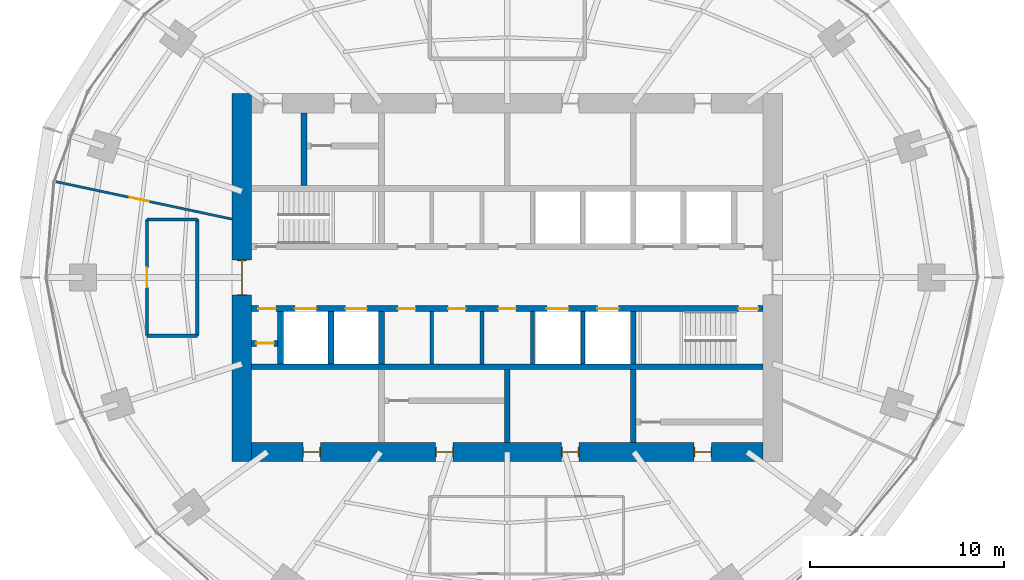
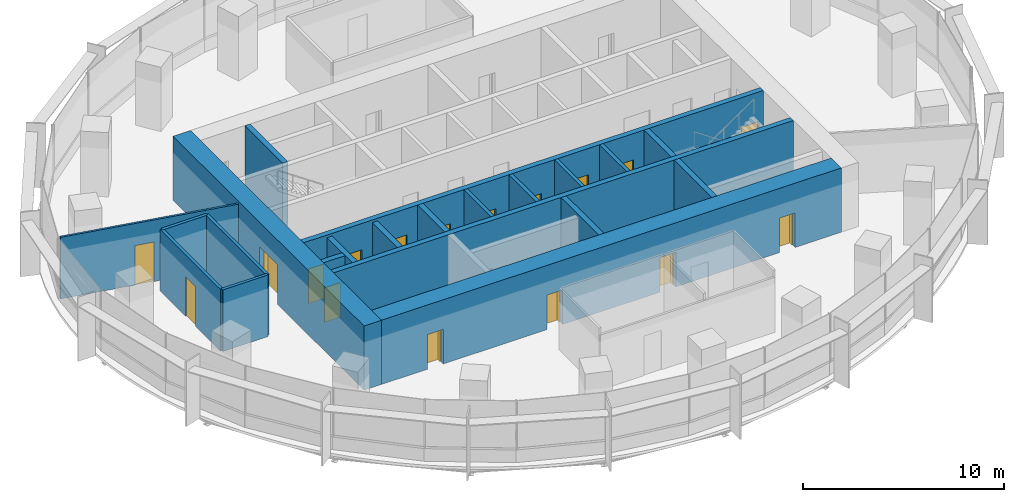
# One storey, part 10 of 14: 21 walls, 17 doors, 17 openings.
"""IFC4 building model written with IfcOpenShell, lengths in metres."""

from ifc_helpers import new_model, si_unit, direction, frame, frame_2d, origin, place, context, subcontext, project, spatial, rectangle, extrude, material, layer, layer_set, type_object, element, fill, save


model = new_model("IFC4")

# Units and contexts
model_context = context("Model", 3, precision=1e-05, world=origin(), true_north=direction((0.0, 1.0)))
body_context = subcontext(model_context, "Body", "Model", "MODEL_VIEW")
ifc_project = project(units=[si_unit("LENGTHUNIT", "METRE"), si_unit("AREAUNIT", "SQUARE_METRE"), si_unit("VOLUMEUNIT", "CUBIC_METRE"), si_unit("PLANEANGLEUNIT", "RADIAN"), si_unit("MASSUNIT", "GRAM", prefix="KILO")], contexts=[model_context])

# Site, building, storey
site_placement = place(None, origin())
site = spatial("IfcSite", under=ifc_project, at=site_placement, CompositionType="ELEMENT")
building_placement = place(site_placement, origin())
building = spatial("IfcBuilding", under=site, at=building_placement, Name="Marramba Exchange Tower", CompositionType="ELEMENT")
storey_placement = place(building_placement, frame((0.0, 0.0, 215.0)))
storey = spatial("IfcBuildingStorey", under=building, at=storey_placement, Name="L52", CompositionType="ELEMENT", Elevation=215.0)

# Walls
ifc_material_1 = material(Name="Plasterboard on staggered double steel studs, acoustic insulation", Category="steel")
ifc_layer_1 = layer(ifc_material_1, 0.169921875)
ifc_layer_set_1 = layer_set([ifc_layer_1], Name="Acoustic partition 170")
wall_type_1 = type_object("IfcWallType", Name="Acoustic partition 170", PredefinedType="PARTITIONING", material=ifc_layer_set_1)
for number, where, z_axis, x_axis, name in (
    (1, (-16.0, -3.0, 0.0), (0.0, 0.0, 1.0), (-1.0, 0.0, 0.0), "Acoustic partition L52 01"),
    (2, (-18.60009765625, 3.0, 0.0), (0.0, 0.0, 1.0), (1.0, 0.0, 0.0), "Acoustic partition L52 13"),
):
    element("IfcWall", number, at=place(storey_placement, frame(where, z_axis=z_axis, x_axis=x_axis)), inside=storey, type_object=wall_type_1, Name=name, PredefinedType="PARTITIONING", context=body_context, shape_type="SweptSolid", body=[
        extrude(rectangle(XDim=2.60009765625, YDim=0.169921875, at=frame_2d((1.300048828125, 0.0))), origin(), (0.0, 0.0, 1.0), 3.739990234375),
    ])

# Wall, opening, door
wall_1_placement = place(storey_placement, frame((-18.60009765625, -3.0, 0.0), z_axis=(0.0, 0.0, 1.0), x_axis=(0.0, 1.0, 0.0)))
wall_1 = element("IfcWall", 3, at=wall_1_placement, inside=storey, type_object=wall_type_1, Name="Acoustic partition L52 14", PredefinedType="PARTITIONING", context=body_context, shape_type="SweptSolid", body=[
    extrude(rectangle(XDim=6.0, YDim=0.169921875, at=frame_2d((3.0, 0.0))), origin(), (0.0, 0.0, 1.0), 3.739990234375),
])
opening_1_placement = place(wall_1_placement, frame((2.5, 0.0, 0.0)))
opening_1 = element("IfcOpeningElement", 4, at=opening_1_placement, cuts=wall_1, Name="Opening D9", PredefinedType="OPENING", context=body_context, shape_type="SweptSolid", body=[
    extrude(rectangle(XDim=1.0, YDim=2.39990234375, at=frame_2d((0.5, 1.199951171875))), frame((0.0, 0.094970703125, 0.0), z_axis=(0.0, -1.0, 0.0), x_axis=(1.0, 0.0, 0.0)), (0.0, 0.0, 1.0), 0.18994140625),
])
ifc_material_2 = material(Name="Timber door", Category="wood")
door_type_1 = type_object("IfcDoorType", Name="Room door 1000x2400", OperationType="SINGLE_SWING_LEFT", PredefinedType="DOOR", material=ifc_material_2)
door_1_placement = place(opening_1_placement, frame((1.0, 0.0, 0.0), z_axis=(0.0, 0.0, 1.0), x_axis=(-1.0, 0.0, 0.0)))
door_1 = element("IfcDoor", 5, at=door_1_placement, inside=storey, type_object=door_type_1, Name="D9 Quiet Room L52", OperationType="SINGLE_SWING_RIGHT", OverallHeight=2.39990234375, OverallWidth=1.0, PredefinedType="DOOR", context=body_context, shape_type="SweptSolid", body=[
    extrude(rectangle(XDim=1.0, YDim=2.39990234375, at=frame_2d((0.5, 1.199951171875))), frame((0.0, 0.025146484375, 0.0), z_axis=(0.0, -1.0, 0.0), x_axis=(1.0, 0.0, 0.0)), (0.0, 0.0, 1.0), 0.050048828125),
])
fill(opening_1, door_1)

# Walls
wall_2_placement = place(storey_placement, frame((-16.0, 3.0, 0.0), z_axis=(0.0, 0.0, 1.0), x_axis=(0.0, -1.0, 0.0)))
element("IfcWall", 6, at=wall_2_placement, inside=storey, type_object=wall_type_1, Name="Acoustic partition L52 15", PredefinedType="PARTITIONING", context=body_context, shape_type="SweptSolid", body=[
    extrude(rectangle(XDim=6.0, YDim=0.169921875, at=frame_2d((3.0, 0.0))), origin(), (0.0, 0.0, 1.0), 3.739990234375),
])
ifc_material_3 = material(Name="Concrete N50", Category="concrete")
ifc_layer_2 = layer(ifc_material_3, 0.199951171875)
ifc_layer_set_2 = layer_set([ifc_layer_2], Name="Core shaft wall 200")
wall_type_2 = type_object("IfcWallType", Name="Core shaft wall 200", PredefinedType="SHEAR", material=ifc_layer_set_2)
for number, where, z_axis, x_axis, name in (
    (7, (-3.89990234375, -1.75, 0.0), (0.0, 0.0, 1.0), (0.0, -1.0, 0.0), "Core wall SHS1 L52"),
    (8, (-1.300048828125, -1.75, 0.0), (0.0, 0.0, 1.0), (0.0, -1.0, 0.0), "Core wall SHS2 L52"),
    (9, (1.300048828125, -1.75, 0.0), (0.0, 0.0, 1.0), (0.0, -1.0, 0.0), "Core wall SHS3 L52"),
    (10, (3.89990234375, -1.75, 0.0), (0.0, 0.0, 1.0), (0.0, -1.0, 0.0), "Core wall SHS4 L52"),
):
    element("IfcWall", number, at=place(storey_placement, frame(where, z_axis=z_axis, x_axis=x_axis)), inside=storey, type_object=wall_type_2, Name=name, PredefinedType="SHEAR", context=body_context, shape_type="SweptSolid", body=[
        extrude(rectangle(XDim=2.699951171875, YDim=0.199951171875, at=frame_2d((1.35009765625, 0.0))), origin(), (0.0, 0.0, 1.0), 3.89990234375),
    ])

# Wall, openings, doors
ifc_layer_3 = layer(ifc_material_3, 1.0)
ifc_layer_set_3 = layer_set([ifc_layer_3], Name="Core wall 1000")
wall_type_3 = type_object("IfcWallType", Name="Core wall 1000", PredefinedType="SHEAR", material=ifc_layer_set_3)
wall_3_placement = place(storey_placement, frame((-13.199951171875, -9.0, 0.0), z_axis=(0.0, 0.0, 1.0), x_axis=(1.0, 0.0, 0.0)))
wall_3 = element("IfcWall", 11, at=wall_3_placement, inside=storey, type_object=wall_type_3, Name="Core wall S L52", PredefinedType="SHEAR", context=body_context, shape_type="SweptSolid", body=[
    extrude(rectangle(XDim=26.39990234375, YDim=1.0, at=frame_2d((13.199951171875, 0.0))), origin(), (0.0, 0.0, 1.0), 3.89990234375),
])
opening_2_placement = place(wall_3_placement, frame((2.64990234375, 0.0, 0.0)))
opening_2 = element("IfcOpeningElement", 12, at=opening_2_placement, cuts=wall_3, Name="Opening D5", PredefinedType="OPENING", context=body_context, shape_type="SweptSolid", body=[
    extrude(rectangle(XDim=0.89990234375, YDim=2.10009765625, at=frame_2d((0.449951171875, 1.050048828125))), frame((0.0, 0.510009765625, 0.0), z_axis=(0.0, -1.0, 0.0), x_axis=(1.0, 0.0, 0.0)), (0.0, 0.0, 1.0), 1.02001953125),
])
opening_3_placement = place(wall_3_placement, frame((9.5, 0.0, 0.0)))
opening_3 = element("IfcOpeningElement", 13, at=opening_3_placement, cuts=wall_3, Name="Opening D5", PredefinedType="OPENING", context=body_context, shape_type="SweptSolid", body=[
    extrude(rectangle(XDim=0.89990234375, YDim=2.10009765625, at=frame_2d((0.449951171875, 1.050048828125))), frame((0.0, 0.510009765625, 0.0), z_axis=(0.0, -1.0, 0.0), x_axis=(1.0, 0.0, 0.0)), (0.0, 0.0, 1.0), 1.02001953125),
])
opening_4_placement = place(wall_3_placement, frame((16.0, 0.0, 0.0)))
opening_4 = element("IfcOpeningElement", 14, at=opening_4_placement, cuts=wall_3, Name="Opening D5", PredefinedType="OPENING", context=body_context, shape_type="SweptSolid", body=[
    extrude(rectangle(XDim=0.89990234375, YDim=2.10009765625, at=frame_2d((0.449951171875, 1.050048828125))), frame((0.0, 0.510009765625, 0.0), z_axis=(0.0, -1.0, 0.0), x_axis=(1.0, 0.0, 0.0)), (0.0, 0.0, 1.0), 1.02001953125),
])
opening_5_placement = place(wall_3_placement, frame((22.85009765625, 0.0, 0.0)))
opening_5 = element("IfcOpeningElement", 15, at=opening_5_placement, cuts=wall_3, Name="Opening D5", PredefinedType="OPENING", context=body_context, shape_type="SweptSolid", body=[
    extrude(rectangle(XDim=0.89990234375, YDim=2.10009765625, at=frame_2d((0.449951171875, 1.050048828125))), frame((0.0, 0.510009765625, 0.0), z_axis=(0.0, -1.0, 0.0), x_axis=(1.0, 0.0, 0.0)), (0.0, 0.0, 1.0), 1.02001953125),
])
ifc_material_4 = material(Name="Steel-framed door", Category="steel")
door_type_2 = type_object("IfcDoorType", Name="Service door 900x2100", OperationType="SINGLE_SWING_LEFT", PredefinedType="DOOR", material=ifc_material_4)
door_2_placement = place(opening_2_placement, origin())
door_2 = element("IfcDoor", 16, at=door_2_placement, inside=storey, type_object=door_type_2, Name="D5 ahu L52", OperationType="SINGLE_SWING_LEFT", OverallHeight=2.10009765625, OverallWidth=0.89990234375, PredefinedType="DOOR", context=body_context, shape_type="SweptSolid", body=[
    extrude(rectangle(XDim=0.81982421875, YDim=2.06005859375, at=frame_2d((0.449951171875, 1.030029296875))), frame((0.0, 0.02490234375, 0.0), z_axis=(0.0, -1.0, 0.0), x_axis=(1.0, 0.0, 0.0)), (0.0, 0.0, 1.0), 0.050048828125),
    extrude(rectangle(XDim=0.04, YDim=2.10009765625, at=frame_2d((0.02001953125, 1.050048828125))), frame((0.0, 0.25, 0.0), z_axis=(0.0, -1.0, 0.0), x_axis=(1.0, 0.0, 0.0)), (0.0, 0.0, 1.0), 0.5),
    extrude(rectangle(XDim=0.04, YDim=2.10009765625, at=frame_2d((0.8798828125, 1.050048828125))), frame((0.0, 0.25, 0.0), z_axis=(0.0, -1.0, 0.0), x_axis=(1.0, 0.0, 0.0)), (0.0, 0.0, 1.0), 0.5),
    extrude(rectangle(XDim=0.81982421875, YDim=0.04, at=frame_2d((0.449951171875, 2.080078125))), frame((0.0, 0.25, 0.0), z_axis=(0.0, -1.0, 0.0), x_axis=(1.0, 0.0, 0.0)), (0.0, 0.0, 1.0), 0.5),
])
fill(opening_2, door_2)
door_3_placement = place(opening_3_placement, origin())
door_3 = element("IfcDoor", 17, at=door_3_placement, inside=storey, type_object=door_type_2, Name="D5 store L52", OperationType="SINGLE_SWING_RIGHT", OverallHeight=2.10009765625, OverallWidth=0.89990234375, PredefinedType="DOOR", context=body_context, shape_type="SweptSolid", body=[
    extrude(rectangle(XDim=0.81982421875, YDim=2.06005859375, at=frame_2d((0.449951171875, 1.030029296875))), frame((0.0, 0.02490234375, 0.0), z_axis=(0.0, -1.0, 0.0), x_axis=(1.0, 0.0, 0.0)), (0.0, 0.0, 1.0), 0.050048828125),
    extrude(rectangle(XDim=0.04, YDim=2.10009765625, at=frame_2d((0.02001953125, 1.050048828125))), frame((0.0, 0.25, 0.0), z_axis=(0.0, -1.0, 0.0), x_axis=(1.0, 0.0, 0.0)), (0.0, 0.0, 1.0), 0.5),
    extrude(rectangle(XDim=0.04, YDim=2.10009765625, at=frame_2d((0.8798828125, 1.050048828125))), frame((0.0, 0.25, 0.0), z_axis=(0.0, -1.0, 0.0), x_axis=(1.0, 0.0, 0.0)), (0.0, 0.0, 1.0), 0.5),
    extrude(rectangle(XDim=0.81982421875, YDim=0.04, at=frame_2d((0.449951171875, 2.080078125))), frame((0.0, 0.25, 0.0), z_axis=(0.0, -1.0, 0.0), x_axis=(1.0, 0.0, 0.0)), (0.0, 0.0, 1.0), 0.5),
])
fill(opening_3, door_3)
door_4_placement = place(opening_4_placement, origin())
door_4 = element("IfcDoor", 18, at=door_4_placement, inside=storey, type_object=door_type_2, Name="D5 switch L52", OperationType="SINGLE_SWING_RIGHT", OverallHeight=2.10009765625, OverallWidth=0.89990234375, PredefinedType="DOOR", context=body_context, shape_type="SweptSolid", body=[
    extrude(rectangle(XDim=0.81982421875, YDim=2.06005859375, at=frame_2d((0.449951171875, 1.030029296875))), frame((0.0, 0.02490234375, 0.0), z_axis=(0.0, -1.0, 0.0), x_axis=(1.0, 0.0, 0.0)), (0.0, 0.0, 1.0), 0.050048828125),
    extrude(rectangle(XDim=0.04, YDim=2.10009765625, at=frame_2d((0.02001953125, 1.050048828125))), frame((0.0, 0.25, 0.0), z_axis=(0.0, -1.0, 0.0), x_axis=(1.0, 0.0, 0.0)), (0.0, 0.0, 1.0), 0.5),
    extrude(rectangle(XDim=0.04, YDim=2.10009765625, at=frame_2d((0.8798828125, 1.050048828125))), frame((0.0, 0.25, 0.0), z_axis=(0.0, -1.0, 0.0), x_axis=(1.0, 0.0, 0.0)), (0.0, 0.0, 1.0), 0.5),
    extrude(rectangle(XDim=0.81982421875, YDim=0.04, at=frame_2d((0.449951171875, 2.080078125))), frame((0.0, 0.25, 0.0), z_axis=(0.0, -1.0, 0.0), x_axis=(1.0, 0.0, 0.0)), (0.0, 0.0, 1.0), 0.5),
])
fill(opening_4, door_4)
door_5_placement = place(opening_5_placement, origin())
door_5 = element("IfcDoor", 19, at=door_5_placement, inside=storey, type_object=door_type_2, Name="D5 cstore L52", OperationType="SINGLE_SWING_RIGHT", OverallHeight=2.10009765625, OverallWidth=0.89990234375, PredefinedType="DOOR", context=body_context, shape_type="SweptSolid", body=[
    extrude(rectangle(XDim=0.81982421875, YDim=2.06005859375, at=frame_2d((0.449951171875, 1.030029296875))), frame((0.0, 0.02490234375, 0.0), z_axis=(0.0, -1.0, 0.0), x_axis=(1.0, 0.0, 0.0)), (0.0, 0.0, 1.0), 0.050048828125),
    extrude(rectangle(XDim=0.04, YDim=2.10009765625, at=frame_2d((0.02001953125, 1.050048828125))), frame((0.0, 0.25, 0.0), z_axis=(0.0, -1.0, 0.0), x_axis=(1.0, 0.0, 0.0)), (0.0, 0.0, 1.0), 0.5),
    extrude(rectangle(XDim=0.04, YDim=2.10009765625, at=frame_2d((0.8798828125, 1.050048828125))), frame((0.0, 0.25, 0.0), z_axis=(0.0, -1.0, 0.0), x_axis=(1.0, 0.0, 0.0)), (0.0, 0.0, 1.0), 0.5),
    extrude(rectangle(XDim=0.81982421875, YDim=0.04, at=frame_2d((0.449951171875, 2.080078125))), frame((0.0, 0.25, 0.0), z_axis=(0.0, -1.0, 0.0), x_axis=(1.0, 0.0, 0.0)), (0.0, 0.0, 1.0), 0.5),
])
fill(opening_5, door_5)

# Wall, opening, door
wall_4_placement = place(storey_placement, frame((-13.699951171875, 9.5, 0.0), z_axis=(0.0, 0.0, 1.0), x_axis=(0.0, -1.0, 0.0)))
wall_4 = element("IfcWall", 20, at=wall_4_placement, inside=storey, type_object=wall_type_3, Name="Core wall W L52", PredefinedType="SHEAR", context=body_context, shape_type="SweptSolid", body=[
    extrude(rectangle(XDim=19.0, YDim=1.0, at=frame_2d((9.5, 0.0))), origin(), (0.0, 0.0, 1.0), 3.89990234375),
])
opening_6_placement = place(wall_4_placement, frame((8.60009765625, 0.0, 0.0)))
opening_6 = element("IfcOpeningElement", 21, at=opening_6_placement, cuts=wall_4, Name="Opening D1", PredefinedType="OPENING", context=body_context, shape_type="SweptSolid", body=[
    extrude(rectangle(XDim=1.800048828125, YDim=2.39990234375, at=frame_2d((0.89990234375, 1.199951171875))), frame((0.0, 0.510009765625, 0.0), z_axis=(0.0, -1.0, 0.0), x_axis=(1.0, 0.0, 0.0)), (0.0, 0.0, 1.0), 1.02001953125),
])
door_type_3 = type_object("IfcDoorType", Name="Lobby exit door 1800x2400", OperationType="DOUBLE_DOOR_SINGLE_SWING", PredefinedType="DOOR", material=ifc_material_4)
door_6_placement = place(opening_6_placement, origin())
door_6 = element("IfcDoor", 22, at=door_6_placement, inside=storey, type_object=door_type_3, Name="D1 lobby exit west L52", OperationType="DOUBLE_DOOR_SINGLE_SWING", OverallHeight=2.39990234375, OverallWidth=1.800048828125, PredefinedType="DOOR", context=body_context, shape_type="SweptSolid", body=[
    extrude(rectangle(XDim=1.719970703125, YDim=2.35986328125, at=frame_2d((0.89990234375, 1.179931640625))), frame((0.0, 0.02490234375, 0.0), z_axis=(0.0, -1.0, 0.0), x_axis=(1.0, 0.0, 0.0)), (0.0, 0.0, 1.0), 0.050048828125),
    extrude(rectangle(XDim=0.04, YDim=2.39990234375, at=frame_2d((0.02001953125, 1.199951171875))), frame((0.0, 0.25, 0.0), z_axis=(0.0, -1.0, 0.0), x_axis=(1.0, 0.0, 0.0)), (0.0, 0.0, 1.0), 0.5),
    extrude(rectangle(XDim=0.04, YDim=2.39990234375, at=frame_2d((1.780029296875, 1.199951171875))), frame((0.0, 0.25, 0.0), z_axis=(0.0, -1.0, 0.0), x_axis=(1.0, 0.0, 0.0)), (0.0, 0.0, 1.0), 0.5),
    extrude(rectangle(XDim=1.719970703125, YDim=0.04, at=frame_2d((0.89990234375, 2.3798828125))), frame((0.0, 0.25, 0.0), z_axis=(0.0, -1.0, 0.0), x_axis=(1.0, 0.0, 0.0)), (0.0, 0.0, 1.0), 0.5),
])
fill(opening_6, door_6)

# Wall, openings, doors
ifc_layer_4 = layer(ifc_material_3, 0.300048828125)
ifc_layer_set_4 = layer_set([ifc_layer_4], Name="Core wall 300")
wall_type_4 = type_object("IfcWallType", Name="Core wall 300", PredefinedType="SHEAR", material=ifc_layer_set_4)
wall_5_placement = place(storey_placement, frame((-13.199951171875, -1.60009765625, 0.0), z_axis=(0.0, 0.0, 1.0), x_axis=(1.0, 0.0, 0.0)))
wall_5 = element("IfcWall", 23, at=wall_5_placement, inside=storey, type_object=wall_type_4, Name="Core wall LS L52", PredefinedType="SHEAR", context=body_context, shape_type="SweptSolid", body=[
    extrude(rectangle(XDim=26.39990234375, YDim=0.300048828125, at=frame_2d((13.199951171875, 0.0))), origin(), (0.0, 0.0, 1.0), 3.89990234375),
])
opening_7_placement = place(wall_5_placement, frame((25.14990234375, 0.0, 0.0)))
opening_7 = element("IfcOpeningElement", 24, at=opening_7_placement, cuts=wall_5, Name="Opening D2", PredefinedType="OPENING", context=body_context, shape_type="SweptSolid", body=[
    extrude(rectangle(XDim=1.0, YDim=2.10009765625, at=frame_2d((0.5, 1.050048828125))), frame((0.0, 0.159912109375, 0.0), z_axis=(0.0, -1.0, 0.0), x_axis=(1.0, 0.0, 0.0)), (0.0, 0.0, 1.0), 0.320068359375),
])
opening_8_placement = place(wall_5_placement, frame((7.550048828125, 0.0, 0.0)))
opening_8 = element("IfcOpeningElement", 25, at=opening_8_placement, cuts=wall_5, Name="Opening D5", PredefinedType="OPENING", context=body_context, shape_type="SweptSolid", body=[
    extrude(rectangle(XDim=0.89990234375, YDim=2.10009765625, at=frame_2d((0.449951171875, 1.050048828125))), frame((0.0, 0.159912109375, 0.0), z_axis=(0.0, -1.0, 0.0), x_axis=(1.0, 0.0, 0.0)), (0.0, 0.0, 1.0), 0.320068359375),
])
opening_9_placement = place(wall_5_placement, frame((10.14990234375, 0.0, 0.0)))
opening_9 = element("IfcOpeningElement", 26, at=opening_9_placement, cuts=wall_5, Name="Opening D5", PredefinedType="OPENING", context=body_context, shape_type="SweptSolid", body=[
    extrude(rectangle(XDim=0.89990234375, YDim=2.10009765625, at=frame_2d((0.449951171875, 1.050048828125))), frame((0.0, 0.159912109375, 0.0), z_axis=(0.0, -1.0, 0.0), x_axis=(1.0, 0.0, 0.0)), (0.0, 0.0, 1.0), 0.320068359375),
])
opening_10_placement = place(wall_5_placement, frame((12.75, 0.0, 0.0)))
opening_10 = element("IfcOpeningElement", 27, at=opening_10_placement, cuts=wall_5, Name="Opening D5", PredefinedType="OPENING", context=body_context, shape_type="SweptSolid", body=[
    extrude(rectangle(XDim=0.89990234375, YDim=2.10009765625, at=frame_2d((0.449951171875, 1.050048828125))), frame((0.0, 0.159912109375, 0.0), z_axis=(0.0, -1.0, 0.0), x_axis=(1.0, 0.0, 0.0)), (0.0, 0.0, 1.0), 0.320068359375),
])
opening_11_placement = place(wall_5_placement, frame((15.25, 0.0, 0.0)))
opening_11 = element("IfcOpeningElement", 28, at=opening_11_placement, cuts=wall_5, Name="Opening LD2", PredefinedType="OPENING", context=body_context, shape_type="SweptSolid", body=[
    extrude(rectangle(XDim=1.10009765625, YDim=2.300048828125, at=frame_2d((0.550048828125, 1.14990234375))), frame((0.0, 0.159912109375, 0.0), z_axis=(0.0, -1.0, 0.0), x_axis=(1.0, 0.0, 0.0)), (0.0, 0.0, 1.0), 0.320068359375),
])
opening_12_placement = place(wall_5_placement, frame((17.85009765625, 0.0, 0.0)))
opening_12 = element("IfcOpeningElement", 29, at=opening_12_placement, cuts=wall_5, Name="Opening LD2", PredefinedType="OPENING", context=body_context, shape_type="SweptSolid", body=[
    extrude(rectangle(XDim=1.10009765625, YDim=2.300048828125, at=frame_2d((0.550048828125, 1.14990234375))), frame((0.0, 0.159912109375, 0.0), z_axis=(0.0, -1.0, 0.0), x_axis=(1.0, 0.0, 0.0)), (0.0, 0.0, 1.0), 0.320068359375),
])
opening_13_placement = place(wall_5_placement, frame((4.85009765625, 0.0, 0.0)))
opening_13 = element("IfcOpeningElement", 30, at=opening_13_placement, cuts=wall_5, Name="Opening LD1", PredefinedType="OPENING", context=body_context, shape_type="SweptSolid", body=[
    extrude(rectangle(XDim=1.10009765625, YDim=2.300048828125, at=frame_2d((0.550048828125, 1.14990234375))), frame((0.0, 0.159912109375, 0.0), z_axis=(0.0, -1.0, 0.0), x_axis=(1.0, 0.0, 0.0)), (0.0, 0.0, 1.0), 0.320068359375),
])
opening_14_placement = place(wall_5_placement, frame((2.25, 0.0, 0.0)))
opening_14 = element("IfcOpeningElement", 31, at=opening_14_placement, cuts=wall_5, Name="Opening LD1", PredefinedType="OPENING", context=body_context, shape_type="SweptSolid", body=[
    extrude(rectangle(XDim=1.10009765625, YDim=2.300048828125, at=frame_2d((0.550048828125, 1.14990234375))), frame((0.0, 0.159912109375, 0.0), z_axis=(0.0, -1.0, 0.0), x_axis=(1.0, 0.0, 0.0)), (0.0, 0.0, 1.0), 0.320068359375),
])
opening_15_placement = place(wall_5_placement, frame((0.35009765625, 0.0, 0.0)))
opening_15 = element("IfcOpeningElement", 32, at=opening_15_placement, cuts=wall_5, Name="Opening D5", PredefinedType="OPENING", context=body_context, shape_type="SweptSolid", body=[
    extrude(rectangle(XDim=0.89990234375, YDim=2.10009765625, at=frame_2d((0.449951171875, 1.050048828125))), frame((0.0, 0.159912109375, 0.0), z_axis=(0.0, -1.0, 0.0), x_axis=(1.0, 0.0, 0.0)), (0.0, 0.0, 1.0), 0.320068359375),
])
door_type_4 = type_object("IfcDoorType", Name="Emergency lift landing door 1100x2300", OperationType="SLIDING_TO_LEFT", PredefinedType="DOOR", material=ifc_material_4)
door_7_placement = place(opening_11_placement, frame((1.10009765625, 0.0, 0.0), z_axis=(0.0, 0.0, 1.0), x_axis=(-1.0, 0.0, 0.0)))
door_7 = element("IfcDoor", 33, at=door_7_placement, inside=storey, type_object=door_type_4, Name="FL1 landing door L52", OperationType="SLIDING_TO_RIGHT", OverallHeight=2.300048828125, OverallWidth=1.10009765625, PredefinedType="DOOR", context=body_context, shape_type="SweptSolid", body=[
    extrude(rectangle(XDim=1.10009765625, YDim=2.300048828125, at=frame_2d((0.550048828125, 1.14990234375))), frame((0.0, 0.025146484375, 0.0), z_axis=(0.0, -1.0, 0.0), x_axis=(1.0, 0.0, 0.0)), (0.0, 0.0, 1.0), 0.050048828125),
])
fill(opening_11, door_7)
door_8_placement = place(opening_12_placement, frame((1.10009765625, 0.0, 0.0), z_axis=(0.0, 0.0, 1.0), x_axis=(-1.0, 0.0, 0.0)))
door_8 = element("IfcDoor", 34, at=door_8_placement, inside=storey, type_object=door_type_4, Name="FL2 landing door L52", OperationType="SLIDING_TO_LEFT", OverallHeight=2.300048828125, OverallWidth=1.10009765625, PredefinedType="DOOR", context=body_context, shape_type="SweptSolid", body=[
    extrude(rectangle(XDim=1.10009765625, YDim=2.300048828125, at=frame_2d((0.550048828125, 1.14990234375))), frame((0.0, 0.025146484375, 0.0), z_axis=(0.0, -1.0, 0.0), x_axis=(1.0, 0.0, 0.0)), (0.0, 0.0, 1.0), 0.050048828125),
])
fill(opening_12, door_8)
door_type_5 = type_object("IfcDoorType", Name="Lift landing door 1100x2300", OperationType="SLIDING_TO_LEFT", PredefinedType="DOOR", material=ifc_material_4)
door_9_placement = place(opening_13_placement, frame((1.10009765625, 0.0, 0.0), z_axis=(0.0, 0.0, 1.0), x_axis=(-1.0, 0.0, 0.0)))
door_9 = element("IfcDoor", 35, at=door_9_placement, inside=storey, type_object=door_type_5, Name="LC1 landing door L52", OperationType="SLIDING_TO_LEFT", OverallHeight=2.300048828125, OverallWidth=1.10009765625, PredefinedType="DOOR", context=body_context, shape_type="SweptSolid", body=[
    extrude(rectangle(XDim=1.10009765625, YDim=2.300048828125, at=frame_2d((0.550048828125, 1.14990234375))), frame((0.0, 0.025146484375, 0.0), z_axis=(0.0, -1.0, 0.0), x_axis=(1.0, 0.0, 0.0)), (0.0, 0.0, 1.0), 0.050048828125),
])
fill(opening_13, door_9)
door_10_placement = place(opening_14_placement, frame((1.10009765625, 0.0, 0.0), z_axis=(0.0, 0.0, 1.0), x_axis=(-1.0, 0.0, 0.0)))
door_10 = element("IfcDoor", 36, at=door_10_placement, inside=storey, type_object=door_type_5, Name="LC2 landing door L52", OperationType="SLIDING_TO_LEFT", OverallHeight=2.300048828125, OverallWidth=1.10009765625, PredefinedType="DOOR", context=body_context, shape_type="SweptSolid", body=[
    extrude(rectangle(XDim=1.10009765625, YDim=2.300048828125, at=frame_2d((0.550048828125, 1.14990234375))), frame((0.0, 0.025146484375, 0.0), z_axis=(0.0, -1.0, 0.0), x_axis=(1.0, 0.0, 0.0)), (0.0, 0.0, 1.0), 0.050048828125),
])
fill(opening_14, door_10)
door_11_placement = place(opening_8_placement, frame((0.89990234375, 0.0, 0.0), z_axis=(0.0, 0.0, 1.0), x_axis=(-1.0, 0.0, 0.0)))
door_11 = element("IfcDoor", 37, at=door_11_placement, inside=storey, type_object=door_type_2, Name="D5 general store L52", OperationType="SINGLE_SWING_RIGHT", OverallHeight=2.10009765625, OverallWidth=0.89990234375, PredefinedType="DOOR", context=body_context, shape_type="SweptSolid", body=[
    extrude(rectangle(XDim=0.89990234375, YDim=2.10009765625, at=frame_2d((0.449951171875, 1.050048828125))), frame((0.0, 0.025146484375, 0.0), z_axis=(0.0, -1.0, 0.0), x_axis=(1.0, 0.0, 0.0)), (0.0, 0.0, 1.0), 0.050048828125),
])
fill(opening_8, door_11)
door_12_placement = place(opening_9_placement, frame((0.89990234375, 0.0, 0.0), z_axis=(0.0, 0.0, 1.0), x_axis=(-1.0, 0.0, 0.0)))
door_12 = element("IfcDoor", 38, at=door_12_placement, inside=storey, type_object=door_type_2, Name="D5 print room n1 L52", OperationType="SINGLE_SWING_RIGHT", OverallHeight=2.10009765625, OverallWidth=0.89990234375, PredefinedType="DOOR", context=body_context, shape_type="SweptSolid", body=[
    extrude(rectangle(XDim=0.89990234375, YDim=2.10009765625, at=frame_2d((0.449951171875, 1.050048828125))), frame((0.0, 0.025146484375, 0.0), z_axis=(0.0, -1.0, 0.0), x_axis=(1.0, 0.0, 0.0)), (0.0, 0.0, 1.0), 0.050048828125),
])
fill(opening_9, door_12)
door_13_placement = place(opening_10_placement, frame((0.89990234375, 0.0, 0.0), z_axis=(0.0, 0.0, 1.0), x_axis=(-1.0, 0.0, 0.0)))
door_13 = element("IfcDoor", 39, at=door_13_placement, inside=storey, type_object=door_type_2, Name="D5 store n2 L52", OperationType="SINGLE_SWING_RIGHT", OverallHeight=2.10009765625, OverallWidth=0.89990234375, PredefinedType="DOOR", context=body_context, shape_type="SweptSolid", body=[
    extrude(rectangle(XDim=0.89990234375, YDim=2.10009765625, at=frame_2d((0.449951171875, 1.050048828125))), frame((0.0, 0.025146484375, 0.0), z_axis=(0.0, -1.0, 0.0), x_axis=(1.0, 0.0, 0.0)), (0.0, 0.0, 1.0), 0.050048828125),
])
fill(opening_10, door_13)
door_14_placement = place(opening_15_placement, frame((0.89990234375, 0.0, 0.0), z_axis=(0.0, 0.0, 1.0), x_axis=(-1.0, 0.0, 0.0)))
door_14 = element("IfcDoor", 40, at=door_14_placement, inside=storey, type_object=door_type_2, Name="D5 electrical riser L52", OperationType="SINGLE_SWING_LEFT", OverallHeight=2.10009765625, OverallWidth=0.89990234375, PredefinedType="DOOR", context=body_context, shape_type="SweptSolid", body=[
    extrude(rectangle(XDim=0.89990234375, YDim=2.10009765625, at=frame_2d((0.449951171875, 1.050048828125))), frame((0.0, 0.025146484375, 0.0), z_axis=(0.0, -1.0, 0.0), x_axis=(1.0, 0.0, 0.0)), (0.0, 0.0, 1.0), 0.050048828125),
])
fill(opening_15, door_14)
door_type_6 = type_object("IfcDoorType", Name="Stair door 1000x2100", OperationType="SINGLE_SWING_LEFT", PredefinedType="DOOR", material=ifc_material_4)
door_15_placement = place(opening_7_placement, frame((1.0, 0.0, 0.0), z_axis=(0.0, 0.0, 1.0), x_axis=(-1.0, 0.0, 0.0)))
door_15 = element("IfcDoor", 41, at=door_15_placement, inside=storey, type_object=door_type_6, Name="D2 stair ST2 L52", OperationType="SINGLE_SWING_LEFT", OverallHeight=2.10009765625, OverallWidth=1.0, PredefinedType="DOOR", context=body_context, shape_type="SweptSolid", body=[
    extrude(rectangle(XDim=1.0, YDim=2.10009765625, at=frame_2d((0.5, 1.050048828125))), frame((0.0, 0.025146484375, 0.0), z_axis=(0.0, -1.0, 0.0), x_axis=(1.0, 0.0, 0.0)), (0.0, 0.0, 1.0), 0.050048828125),
])
fill(opening_7, door_15)

# Walls
wall_6_placement = place(storey_placement, frame((-13.199951171875, -4.60009765625, 0.0), z_axis=(0.0, 0.0, 1.0), x_axis=(1.0, 0.0, 0.0)))
element("IfcWall", 42, at=wall_6_placement, inside=storey, type_object=wall_type_4, Name="Core wall BS L52", PredefinedType="SHEAR", context=body_context, shape_type="SweptSolid", body=[
    extrude(rectangle(XDim=26.39990234375, YDim=0.300048828125, at=frame_2d((13.199951171875, 0.0))), origin(), (0.0, 0.0, 1.0), 3.89990234375),
])
for number, where, z_axis, x_axis, name in (
    (43, (-6.5, -1.75, 0.0), (0.0, 0.0, 1.0), (0.0, -1.0, 0.0), "Core wall X0Sa L52"),
    (44, (6.5, -1.75, 0.0), (0.0, 0.0, 1.0), (0.0, -1.0, 0.0), "Core wall X1Sa L52"),
):
    element("IfcWall", number, at=place(storey_placement, frame(where, z_axis=z_axis, x_axis=x_axis)), inside=storey, type_object=wall_type_4, Name=name, PredefinedType="SHEAR", context=body_context, shape_type="SweptSolid", body=[
        extrude(rectangle(XDim=2.699951171875, YDim=0.300048828125, at=frame_2d((1.35009765625, 0.0))), origin(), (0.0, 0.0, 1.0), 3.89990234375),
    ])
for number, where, z_axis, x_axis, name in (
    (45, (6.5, -4.75, 0.0), (0.0, 0.0, 1.0), (0.0, -1.0, 0.0), "Core wall X1Sb L52"),
    (46, (0.0, -4.75, 0.0), (0.0, 0.0, 1.0), (0.0, -1.0, 0.0), "Core wall MS L52"),
    (47, (-10.5, 4.75, 0.0), (0.0, 0.0, 1.0), (0.0, 1.0, 0.0), "Core wall WD L52"),
):
    element("IfcWall", number, at=place(storey_placement, frame(where, z_axis=z_axis, x_axis=x_axis)), inside=storey, type_object=wall_type_4, Name=name, PredefinedType="SHEAR", context=body_context, shape_type="SweptSolid", body=[
        extrude(rectangle(XDim=3.75, YDim=0.300048828125, at=frame_2d((1.875, 0.0))), origin(), (0.0, 0.0, 1.0), 3.89990234375),
    ])
ifc_material_5 = material(Name="Core-filled concrete blockwork", Category="masonry")
ifc_layer_5 = layer(ifc_material_5, 0.300048828125)
ifc_layer_set_5 = layer_set([ifc_layer_5], Name="Lift shaft wall 300")
wall_type_5 = type_object("IfcWallType", Name="Lift shaft wall 300", PredefinedType="SOLIDWALL", material=ifc_layer_set_5)
for number, where, z_axis, x_axis, name in (
    (48, (-9.10009765625, -1.75, 0.0), (0.0, 0.0, 1.0), (0.0, -1.0, 0.0), "Lift shaft wall W1 L52"),
    (49, (-11.699951171875, -1.75, 0.0), (0.0, 0.0, 1.0), (0.0, -1.0, 0.0), "Lift shaft wall W2 L52"),
):
    element("IfcWall", number, at=place(storey_placement, frame(where, z_axis=z_axis, x_axis=x_axis)), inside=storey, type_object=wall_type_5, Name=name, PredefinedType="SOLIDWALL", context=body_context, shape_type="SweptSolid", body=[
        extrude(rectangle(XDim=2.699951171875, YDim=0.300048828125, at=frame_2d((1.35009765625, 0.0))), origin(), (0.0, 0.0, 1.0), 3.739990234375),
    ])

# Wall, opening, door
ifc_material_6 = material(Name="Plasterboard on steel studs", Category="steel")
ifc_layer_6 = layer(ifc_material_6, 0.1201171875)
ifc_layer_set_6 = layer_set([ifc_layer_6], Name="Partition 120")
wall_type_6 = type_object("IfcWallType", Name="Partition 120", PredefinedType="PARTITIONING", material=ifc_layer_set_6)
wall_7_placement = place(storey_placement, frame((-14.199951171875, 3.018310546875, 0.0), z_axis=(0.0, 0.0, 1.0), x_axis=(-0.978146067863, 0.207918902279, 0.0)))
wall_7 = element("IfcWall", 50, at=wall_7_placement, inside=storey, type_object=wall_type_6, Name="Partition L52 12", PredefinedType="PARTITIONING", context=body_context, shape_type="SweptSolid", body=[
    extrude(rectangle(XDim=9.32080078125, YDim=0.1201171875, at=frame_2d((4.660400390625, 0.0))), origin(), (0.0, 0.0, 1.0), 3.739990234375),
])
opening_16_placement = place(wall_7_placement, frame((4.410888671875, 0.0, 0.0)))
opening_16 = element("IfcOpeningElement", 51, at=opening_16_placement, cuts=wall_7, Name="Opening D9", PredefinedType="OPENING", context=body_context, shape_type="SweptSolid", body=[
    extrude(rectangle(XDim=1.0, YDim=2.39990234375, at=frame_2d((0.5, 1.199951171875))), frame((0.0, 0.070068359375, 0.0), z_axis=(0.0, -1.0, 0.0), x_axis=(1.0, 0.0, 0.0)), (0.0, 0.0, 1.0), 0.14013671875),
])
door_16_placement = place(opening_16_placement, origin())
door_16 = element("IfcDoor", 52, at=door_16_placement, inside=storey, type_object=door_type_1, Name="D9 Research Analyst Office L52", OperationType="SINGLE_SWING_RIGHT", OverallHeight=2.39990234375, OverallWidth=1.0, PredefinedType="DOOR", context=body_context, shape_type="SweptSolid", body=[
    extrude(rectangle(XDim=1.0, YDim=2.39990234375, at=frame_2d((0.5, 1.199951171875))), frame((0.0, 0.02490234375, 0.0), z_axis=(0.0, -1.0, 0.0), x_axis=(1.0, 0.0, 0.0)), (0.0, 0.0, 1.0), 0.050048828125),
])
fill(opening_16, door_16)

ifc_layer_7 = layer(ifc_material_5, 0.300048828125)
ifc_layer_set_7 = layer_set([ifc_layer_7], Name="Riser enclosure wall 300")
wall_type_7 = type_object("IfcWallType", Name="Riser enclosure wall 300", PredefinedType="SOLIDWALL", material=ifc_layer_set_7)
wall_8_placement = place(storey_placement, frame((-13.199951171875, -3.39990234375, 0.0), z_axis=(0.0, 0.0, 1.0), x_axis=(1.0, 0.0, 0.0)))
wall_8 = element("IfcWall", 53, at=wall_8_placement, inside=storey, type_object=wall_type_7, Name="Riser enclosure wall L52", PredefinedType="SOLIDWALL", context=body_context, shape_type="SweptSolid", body=[
    extrude(rectangle(XDim=1.349853515625, YDim=0.300048828125, at=frame_2d((0.6748046875, 0.0))), origin(), (0.0, 0.0, 1.0), 3.739990234375),
])
opening_17_placement = place(wall_8_placement, frame((0.25, 0.0, 0.0)))
opening_17 = element("IfcOpeningElement", 54, at=opening_17_placement, cuts=wall_8, Name="Opening D5", PredefinedType="OPENING", context=body_context, shape_type="SweptSolid", body=[
    extrude(rectangle(XDim=0.89990234375, YDim=2.10009765625, at=frame_2d((0.449951171875, 1.050048828125))), frame((0.0, 0.159912109375, 0.0), z_axis=(0.0, -1.0, 0.0), x_axis=(1.0, 0.0, 0.0)), (0.0, 0.0, 1.0), 0.320068359375),
])
door_17_placement = place(opening_17_placement, frame((0.89990234375, 0.0, 0.0), z_axis=(0.0, 0.0, 1.0), x_axis=(-1.0, 0.0, 0.0)))
door_17 = element("IfcDoor", 55, at=door_17_placement, inside=storey, type_object=door_type_2, Name="D5 electrical riser back L52", OperationType="SINGLE_SWING_LEFT", OverallHeight=2.10009765625, OverallWidth=0.89990234375, PredefinedType="DOOR", context=body_context, shape_type="SweptSolid", body=[
    extrude(rectangle(XDim=0.89990234375, YDim=2.10009765625, at=frame_2d((0.449951171875, 1.050048828125))), frame((0.0, 0.025146484375, 0.0), z_axis=(0.0, -1.0, 0.0), x_axis=(1.0, 0.0, 0.0)), (0.0, 0.0, 1.0), 0.050048828125),
])
fill(opening_17, door_17)

save(model, "model.ifc")
